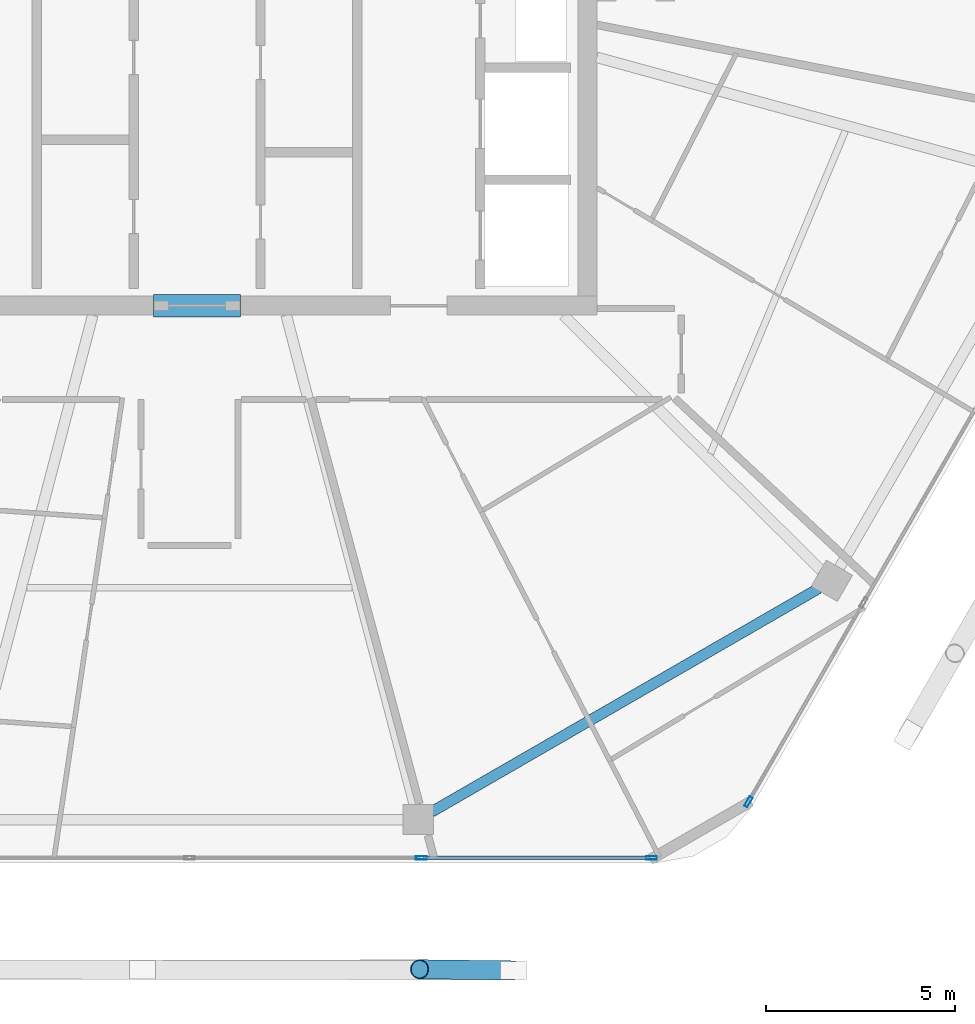
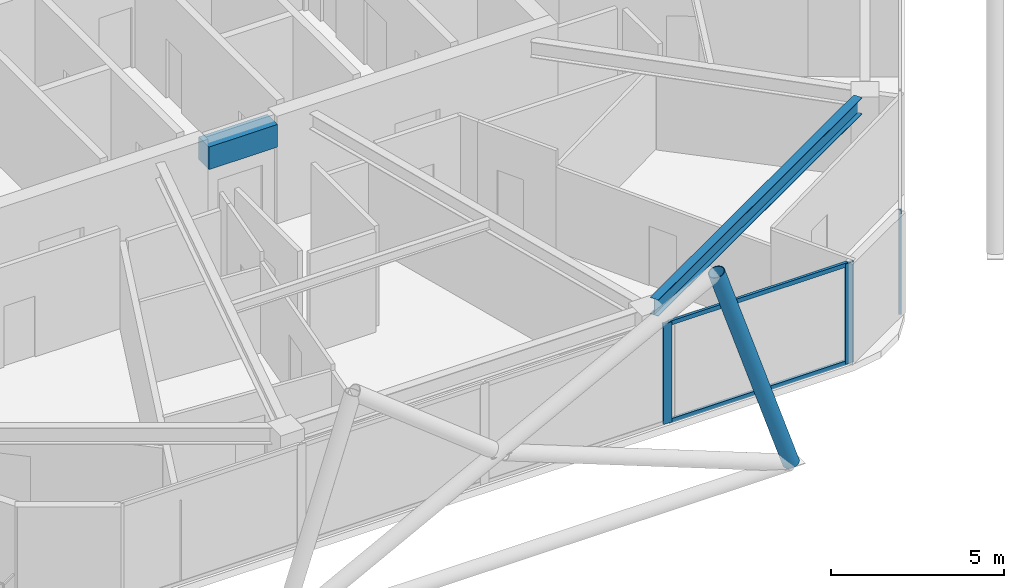
# One storey, part 6 of 23: 6 members, 2 beams, 2 elements without a shape of their own.
"""IFC4 building model written with IfcOpenShell, lengths in metres."""

from ifc_helpers import new_model, si_unit, direction, frame, origin, origin_2d, place, context, subcontext, project, spatial, rectangle, hollow_rectangle, hollow_circle, i_section, extrude, material, material_profile, profile_set, type_object, element, aggregate, save


model = new_model("IFC4")

# Units and contexts
model_context = context("Model", 3, precision=1e-05, world=origin(), true_north=direction((0.0, 1.0)))
body_context = subcontext(model_context, "Body", "Model", "MODEL_VIEW")
ifc_project = project(units=[si_unit("LENGTHUNIT", "METRE"), si_unit("AREAUNIT", "SQUARE_METRE"), si_unit("VOLUMEUNIT", "CUBIC_METRE"), si_unit("PLANEANGLEUNIT", "RADIAN"), si_unit("MASSUNIT", "GRAM", prefix="KILO")], contexts=[model_context])

# Site, building, storey
site_placement = place(None, origin())
site = spatial("IfcSite", under=ifc_project, at=site_placement, CompositionType="ELEMENT")
building_placement = place(site_placement, origin())
building = spatial("IfcBuilding", under=site, at=building_placement, Name="Zuhravey Tower", CompositionType="ELEMENT")
storey_placement = place(building_placement, frame((0.0, 0.0, 331.0)))
storey = spatial("IfcBuildingStorey", under=building, at=storey_placement, Name="L84", CompositionType="ELEMENT", Elevation=331.0)

# Beam
ifc_material_1 = material(Name="Concrete C50/60", Category="concrete")
ifc_material_profile_1 = material_profile(ifc_material_1, rectangle(XDim=0.60009765625, YDim=0.800048828125, at=origin_2d()), Name="RC-600x800")
ifc_profile_set_1 = profile_set([ifc_material_profile_1], Name="Concrete C50/60")
beam_type_1 = type_object("IfcBeamType", Name="Core Coupling Beam RC600x800", PredefinedType="LINTEL", material=ifc_profile_set_1)
beam_1_placement = place(storey_placement, frame((35.052001953125, 22.5, 3.14990234375), z_axis=(1.0, 0.0, 0.0), x_axis=(0.0, 1.0, 0.0)))
element("IfcBeam", 1, at=beam_1_placement, inside=storey, type_object=beam_type_1, Name="L84 CB2 BM-L84-CB-S", PredefinedType="LINTEL", context=body_context, shape_type="SweptSolid", body=[
    extrude(rectangle(XDim=0.60009765625, YDim=0.800048828125, at=origin_2d()), origin(), (0.0, 0.0, 1.0), 2.2958984375),
])

# Curtain wall, member
ifc_material_2 = material(Name="Thermally broken anodised aluminium", Category="aluminium")
curtain_wall_type = type_object("IfcCurtainWallType", Name="Zone 3-4 High-Rise Curtain Wall CW4", PredefinedType="NOTDEFINED", material=ifc_material_2)
curtain_wall_1_placement = place(storey_placement, origin())
curtain_wall_1 = element("IfcCurtainWall", 2, at=curtain_wall_1_placement, inside=storey, type_object=curtain_wall_type, Name="L84 CW4 CW-L84-F6-1", PredefinedType="NOTDEFINED")
ifc_material_3 = material(Name="Anodised aluminium", Category="aluminium")
ifc_material_profile_2 = material_profile(ifc_material_3, hollow_rectangle(XDim=0.090087890625, YDim=0.284912109375, WallThickness=0.0048828125, at=origin_2d()), Name="ALU-RHS-90x285x5")
ifc_profile_set_2 = profile_set([ifc_material_profile_2], Name="Anodised aluminium")
member_type_1 = type_object("IfcMemberType", Name="Curtain-Wall Mullion 90x180", PredefinedType="MULLION", material=ifc_profile_set_2)
member_1_placement = place(storey_placement, frame((50.751708984375, 9.40234375, 0.0), z_axis=(0.0, 0.0, 1.0), x_axis=(0.866025511541, -0.49999981336, 0.0)))
member_1 = element("IfcMember", 3, at=member_1_placement, type_object=member_type_1, Name="CW4 mullion 5", PredefinedType="MULLION", context=body_context, shape_type="SweptSolid", body=[
    extrude(hollow_rectangle(XDim=0.090087890625, YDim=0.284912109375, WallThickness=0.0048828125, at=origin_2d()), origin(), (0.0, 0.0, 1.0), 3.550048828125),
])
aggregate(curtain_wall_1, [member_1])

# Curtain wall, members
curtain_wall_2_placement = place(storey_placement, origin())
curtain_wall_2 = element("IfcCurtainWall", 4, at=curtain_wall_2_placement, inside=storey, type_object=curtain_wall_type, Name="L84 CW4 CW-L84-F5-1", PredefinedType="NOTDEFINED")
member_2_placement = place(storey_placement, frame((48.1943359375, 7.92578125, 0.0), z_axis=(0.0, 0.0, 1.0), x_axis=(0.0, -1.0, 0.0)))
member_2 = element("IfcMember", 5, at=member_2_placement, type_object=member_type_1, Name="CW4 mullion 1", PredefinedType="MULLION", context=body_context, shape_type="SweptSolid", body=[
    extrude(hollow_rectangle(XDim=0.090087890625, YDim=0.284912109375, WallThickness=0.0048828125, at=origin_2d()), origin(), (0.0, 0.0, 1.0), 3.550048828125),
])
member_3_placement = place(storey_placement, frame((42.11962890625, 7.92578125, 0.0), z_axis=(0.0, 0.0, 1.0), x_axis=(0.0, -1.0, 0.0)))
member_3 = element("IfcMember", 6, at=member_3_placement, type_object=member_type_1, Name="CW4 mullion 2", PredefinedType="MULLION", context=body_context, shape_type="SweptSolid", body=[
    extrude(hollow_rectangle(XDim=0.090087890625, YDim=0.284912109375, WallThickness=0.0048828125, at=origin_2d()), origin(), (0.0, 0.0, 1.0), 3.550048828125),
])
ifc_material_profile_3 = material_profile(ifc_material_3, hollow_rectangle(XDim=0.090087890625, YDim=0.14990234375, WallThickness=0.0048828125, at=origin_2d()), Name="ALU-RHS-90x150x5")
ifc_profile_set_3 = profile_set([ifc_material_profile_3], Name="Anodised aluminium")
member_type_2 = type_object("IfcMemberType", Name="Curtain-Wall Transom 90x150", PredefinedType="USERDEFINED", material=ifc_profile_set_3)
member_4_placement = place(storey_placement, frame((48.1494140625, 7.92578125, 0.044921875), z_axis=(-1.0, 0.0, 0.0), x_axis=(0.0, -1.0, 0.0)))
member_4 = element("IfcMember", 7, at=member_4_placement, type_object=member_type_2, Name="CW4 transom 1.1", ObjectType="TRANSOM", PredefinedType="USERDEFINED", context=body_context, shape_type="SweptSolid", body=[
    extrude(hollow_rectangle(XDim=0.090087890625, YDim=0.14990234375, WallThickness=0.0048828125, at=origin_2d()), origin(), (0.0, 0.0, 1.0), 5.98486328125),
])
member_5_placement = place(storey_placement, frame((48.1494140625, 7.92578125, 3.5048828125), z_axis=(-1.0, 0.0, 0.0), x_axis=(0.0, -1.0, 0.0)))
member_5 = element("IfcMember", 8, at=member_5_placement, type_object=member_type_2, Name="CW4 transom 1.2", ObjectType="TRANSOM", PredefinedType="USERDEFINED", context=body_context, shape_type="SweptSolid", body=[
    extrude(hollow_rectangle(XDim=0.090087890625, YDim=0.14990234375, WallThickness=0.0048828125, at=origin_2d()), origin(), (0.0, 0.0, 1.0), 5.98486328125),
])
aggregate(curtain_wall_2, [member_2, member_3, member_4, member_5])

# Member
ifc_material_4 = material(Name="Steel SM355", Category="steel")
ifc_material_profile_4 = material_profile(ifc_material_4, hollow_circle(Radius=0.25390625, WallThickness=0.02490234375, at=origin_2d()), Name="CHS-508.0x25")
ifc_profile_set_4 = profile_set([ifc_material_profile_4], Name="Steel SM355")
member_type_3 = type_object("IfcMemberType", Name="Exoskeleton Zone 4 Diagrid CHS508x25", PredefinedType="BRACE", material=ifc_profile_set_4)
member_6_placement = place(storey_placement, frame((44.544189453125, 4.9560546875, -0.447998046875), z_axis=(-0.310451636696, 0.003741120079, 0.950581814098), x_axis=(-0.012049698022, -0.999927399753, 0.0)))
element("IfcMember", 9, at=member_6_placement, inside=storey, type_object=member_type_3, Name="L84 Face 5 Diagrid Brace 4", PredefinedType="BRACE", context=body_context, shape_type="SweptSolid", body=[
    extrude(hollow_circle(Radius=0.25390625, WallThickness=0.02490234375, at=origin_2d()), origin(), (0.0, 0.0, 1.0), 7.961669921875),
])

# Beam
ifc_material_profile_5 = material_profile(ifc_material_4, i_section(OverallWidth=0.280029296875, OverallDepth=0.580078125, WebThickness=0.011962890625, FlangeThickness=0.01904296875, at=origin_2d()), Name="H-580x280x12x19")
ifc_profile_set_5 = profile_set([ifc_material_profile_5], Name="Steel SM355")
beam_type_2 = type_object("IfcBeamType", Name="Perimeter Ring Beam H580x280", PredefinedType="BEAM", material=ifc_profile_set_5)
beam_2_placement = place(storey_placement, frame((42.3876953125, 9.137451171875, 3.260009765625), z_axis=(0.866023977509, 0.500002470373, 0.0), x_axis=(-0.500002470373, 0.866023977509, 0.0)))
element("IfcBeam", 10, at=beam_2_placement, inside=storey, type_object=beam_type_2, Name="L84 PB4 BM-L84-PB-10", PredefinedType="BEAM", context=body_context, shape_type="SweptSolid", body=[
    extrude(i_section(OverallWidth=0.280029296875, OverallDepth=0.580078125, WebThickness=0.011962890625, FlangeThickness=0.01904296875, at=origin_2d()), origin(), (0.0, 0.0, 1.0), 11.798828125),
])

save(model, "model.ifc")
